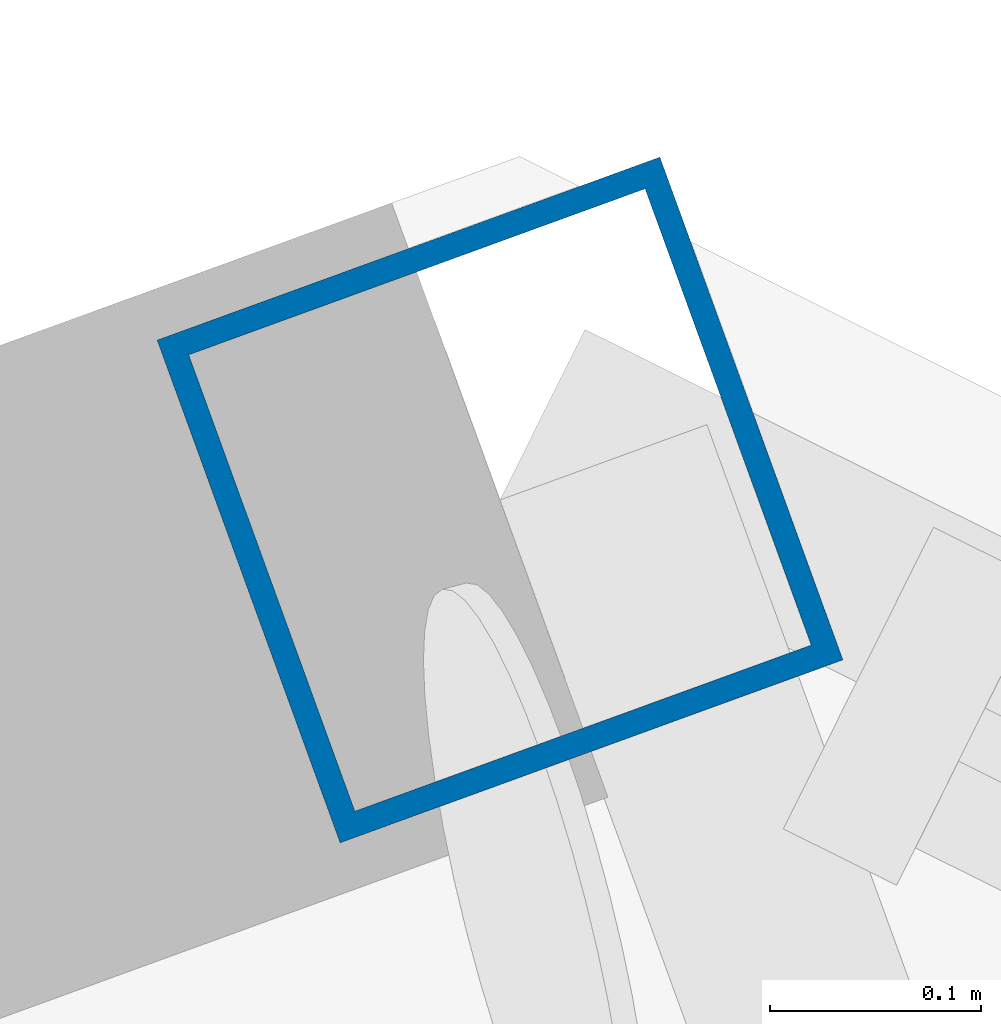
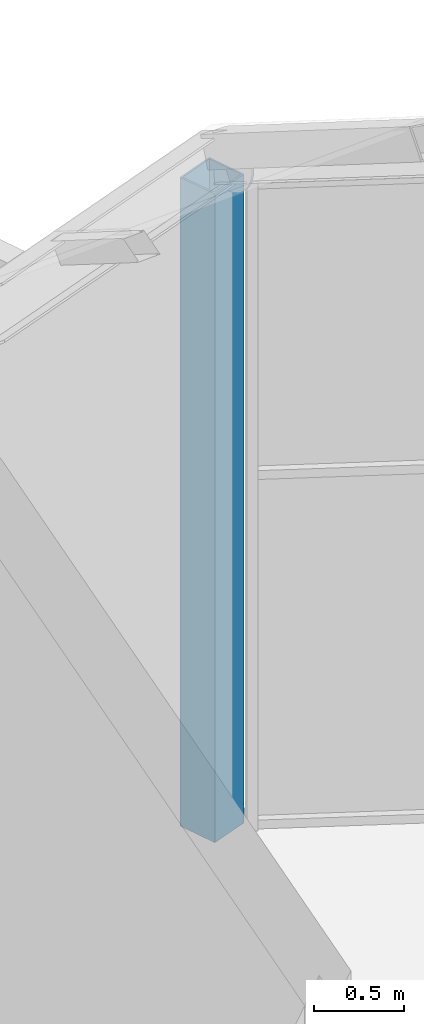
# One storey, part 8 of 95: 1 column.
"""IFC4 building model written with IfcOpenShell, lengths in metres."""

import ifcopenshell
import ifcopenshell.guid

model = None  # the IFC model being written
_history = None  # IfcOwnerHistory: only IFC2X3 demands one
_inside = {}  # id of a spatial element -> (the spatial element, [elements in it])
_under = {}  # id of a project, library or spatial element -> (it, [spatial elements below it])
_declared = {}  # id of a project -> (the project, [libraries it declares])
_typed = {}  # id of a type object -> (the type object, [elements of that type])
_made_of = {}  # id of a material, layer set ... -> (it, [elements and type objects made of it])


def new_model(schema):
    """Start an empty IFC model of exactly this schema.

    Asked for "IFC4X3", IfcOpenShell would pick the latest addendum, in which some entities
    have other attributes; the version numbers below select the first issue.
    IFC2X3 requires an IfcOwnerHistory on every rooted entity: one is made here for all.
    """
    global model, _history
    if schema == "IFC4X3":
        model = ifcopenshell.file(schema_version=(4, 3, 0, 0))
    else:
        model = ifcopenshell.file(schema=schema)
    _inside.clear()
    _under.clear()
    _declared.clear()
    _typed.clear()
    _made_of.clear()
    _history = None
    if model.schema == "IFC2X3":
        org = make("IfcOrganization", Name="unknown")
        user = make(
            "IfcPersonAndOrganization",
            ThePerson=make("IfcPerson", FamilyName="unknown"),
            TheOrganization=org,
        )
        app = make(
            "IfcApplication",
            ApplicationDeveloper=org,
            Version="unknown",
            ApplicationFullName="unknown",
            ApplicationIdentifier="unknown",
        )
        _history = make(
            "IfcOwnerHistory",
            OwningUser=user,
            OwningApplication=app,
            ChangeAction="ADDED",
            CreationDate=0,
        )
    return model


def make(cls, **values):
    """One entity of the class cls with the attributes given. An attribute that is None is left unset."""
    return model.create_entity(
        cls, **{name: value for name, value in values.items() if value is not None}
    )


def rooted(cls, **values):
    """An entity with a GlobalId (a new one), such as an element, a storey or a relation."""
    return make(cls, GlobalId=ifcopenshell.guid.new(), OwnerHistory=_history, **values)


def si_unit(unit_type, name, prefix=None):
    """IfcSIUnit, for example si_unit("LENGTHUNIT", "METRE", prefix="MILLI")."""
    return make("IfcSIUnit", UnitType=unit_type, Prefix=prefix, Name=name)


def assignment(units):
    """IfcUnitAssignment: the units of a project."""
    return None if units is None else make("IfcUnitAssignment", Units=units)


def point(xyz):
    """IfcCartesianPoint."""
    return None if xyz is None else make("IfcCartesianPoint", Coordinates=xyz)


def direction(xyz):
    """IfcDirection."""
    return None if xyz is None else make("IfcDirection", DirectionRatios=xyz)


def frame(location, z_axis=None, x_axis=None):
    """IfcAxis2Placement3D, a coordinate frame: its origin and axes. An axis left out is left unset."""
    return make(
        "IfcAxis2Placement3D",
        Location=point(location),
        Axis=direction(z_axis),
        RefDirection=direction(x_axis),
    )


def frame_2d(location, x_axis=None):
    """IfcAxis2Placement2D, a coordinate frame in the plane: its origin and x axis."""
    return make(
        "IfcAxis2Placement2D", Location=point(location), RefDirection=direction(x_axis)
    )


def origin():
    """The frame at (0, 0, 0) with its axes left unset."""
    return frame((0.0, 0.0, 0.0))


def origin_2d():
    """The frame at (0, 0) in the plane with its x axis left unset."""
    return frame_2d((0.0, 0.0))


def place(relative_to, where):
    """IfcLocalPlacement: puts the frame where relative to a parent placement (None: the world)."""
    return make(
        "IfcLocalPlacement", PlacementRelTo=relative_to, RelativePlacement=where
    )


def context(
    kind, dimensions, precision=None, world=None, true_north=None, identifier=None
):
    """IfcGeometricRepresentationContext, for example the 3D "Model" context."""
    return make(
        "IfcGeometricRepresentationContext",
        ContextIdentifier=identifier,
        ContextType=kind,
        CoordinateSpaceDimension=dimensions,
        Precision=precision,
        WorldCoordinateSystem=world,
        TrueNorth=true_north,
    )


def subcontext(parent, identifier, kind, view, scale=None):
    """IfcGeometricRepresentationSubContext, for example "Body" below "Model"."""
    return make(
        "IfcGeometricRepresentationSubContext",
        ContextIdentifier=identifier,
        ContextType=kind,
        ParentContext=parent,
        TargetScale=scale,
        TargetView=view,
    )


def project(units=None, contexts=None):
    """IfcProject with its units and contexts."""
    return rooted(
        "IfcProject",
        Name="project",
        RepresentationContexts=contexts,
        UnitsInContext=assignment(units),
    )


def spatial(cls, under=None, at=None, **own):
    """A site, building, storey or space (cls), placed at a placement, below another one or the project."""
    s = rooted(cls, ObjectPlacement=at, **own)
    if under is not None:
        _under.setdefault(under.id(), (under, []))[1].append(s)
    return s


def profile(cls, at=None, kind="AREA", **sizes):
    """A parametric profile (cls). Its sizes go by their IFC names, for example OverallWidth=200.0."""
    return make(cls, ProfileType=kind, Position=at, **sizes)


def hollow_rectangle(**sizes):
    """IfcRectangleHollowProfileDef."""
    return profile("IfcRectangleHollowProfileDef", **sizes)


def extrude(swept, where, along, depth):
    """IfcExtrudedAreaSolid: the profile swept, set in the frame where, extruded along a direction by depth."""
    return make(
        "IfcExtrudedAreaSolid",
        SweptArea=swept,
        Position=where,
        ExtrudedDirection=direction(along),
        Depth=depth,
    )


def shape(context_of_items, identifier, shape_type, items):
    """IfcShapeRepresentation: the items that make up one representation, for example the "Body"."""
    return make(
        "IfcShapeRepresentation",
        ContextOfItems=context_of_items,
        RepresentationIdentifier=identifier,
        RepresentationType=shape_type,
        Items=items,
    )


def material(Name=None, Category=None):
    """IfcMaterial."""
    return make("IfcMaterial", Name=Name, Category=Category)


def material_profile(
    of_material, cross_section, Name=None, Category=None, Priority=None
):
    """IfcMaterialProfile: a cross section and its material."""
    return make(
        "IfcMaterialProfile",
        Name=Name,
        Material=of_material,
        Profile=cross_section,
        Priority=Priority,
        Category=Category,
    )


def profile_set(profiles, Name=None, composite=None):
    """IfcMaterialProfileSet."""
    return make(
        "IfcMaterialProfileSet",
        Name=Name,
        MaterialProfiles=profiles,
        CompositeProfile=composite,
    )


def made_of(thing, what):
    """Note that an element or type object is made of a material, layer set ...; save() writes the relation."""
    if what is not None:
        _made_of.setdefault(what.id(), (what, []))[1].append(thing)
    return thing


def type_object(cls, material=None, **own):
    """A type object (cls), such as IfcWallType, which elements share."""
    return made_of(rooted(cls, **own), material)


def element(
    cls,
    number,
    at=None,
    inside=None,
    cuts=None,
    type_object=None,
    material=None,
    context=None,
    identifier="Body",
    shape_type=None,
    held_by="IfcProductDefinitionShape",
    body=None,
    shapes=None,
    **own,
):
    """One element of the class cls, such as IfcWall. Its Tag is "e" and its number.

    at: its placement. inside: the storey or other place that contains it. cuts: it is an
    opening in that element (IfcRelVoidsElement). A single representation is given by context,
    identifier, shape_type and body (its items); several are given by shapes. held_by: the class
    of the entity that holds the representations. save() writes the other relations.
    """
    e = rooted(cls, Tag="e%d" % number, ObjectPlacement=at, **own)
    if body is not None:
        shapes = [shape(context, identifier, shape_type, body)]
    if shapes is not None:
        e.Representation = make(held_by, Representations=shapes)
    if inside is not None:
        _inside.setdefault(inside.id(), (inside, []))[1].append(e)
    if cuts is not None:
        rooted(
            "IfcRelVoidsElement", RelatingBuildingElement=cuts, RelatedOpeningElement=e
        )
    if type_object is not None:
        _typed.setdefault(type_object.id(), (type_object, []))[1].append(e)
    return made_of(e, material)


def aggregate(whole, parts):
    """IfcRelAggregates: a whole, such as a stair, and the parts it consists of."""
    return rooted("IfcRelAggregates", RelatingObject=whole, RelatedObjects=parts)


def save(model, path):
    """Write the relations noted so far, then the file.

    IfcRelAggregates (storeys below a building ...), IfcRelContainedInSpatialStructure (elements
    in a storey), IfcRelDefinesByType, IfcRelAssociatesMaterial and IfcRelDeclares: one each for
    every whole, place, type object, material and project.
    """
    for whole, parts in _under.values():
        aggregate(whole, parts)
    for where, things in _inside.values():
        rooted(
            "IfcRelContainedInSpatialStructure",
            RelatedElements=things,
            RelatingStructure=where,
        )
    for kind, things in _typed.values():
        rooted("IfcRelDefinesByType", RelatedObjects=things, RelatingType=kind)
    for what, things in _made_of.values():
        rooted("IfcRelAssociatesMaterial", RelatedObjects=things, RelatingMaterial=what)
    for by, libraries in _declared.values():
        rooted("IfcRelDeclares", RelatingContext=by, RelatedDefinitions=libraries)
    model.write(path)


model = new_model("IFC4")

# Units and contexts
model_context = context("Model", 3, precision=1e-05, world=origin(), true_north=direction((0.0, 1.0)))
body_context = subcontext(model_context, "Body", "Model", "MODEL_VIEW")
ifc_project = project(units=[si_unit("LENGTHUNIT", "METRE"), si_unit("AREAUNIT", "SQUARE_METRE"), si_unit("VOLUMEUNIT", "CUBIC_METRE"), si_unit("PLANEANGLEUNIT", "RADIAN"), si_unit("MASSUNIT", "GRAM", prefix="KILO")], contexts=[model_context])

# Site, building, storey
site_placement = place(None, origin())
site = spatial("IfcSite", under=ifc_project, at=site_placement, CompositionType="ELEMENT")
building_placement = place(site_placement, origin())
building = spatial("IfcBuilding", under=site, at=building_placement, Name="Windward Yard Aquatics Centre", CompositionType="ELEMENT")
storey_placement = place(building_placement, frame((0.0, 0.0, 9.39990234375)))
storey = spatial("IfcBuildingStorey", under=building, at=storey_placement, Name="L02", CompositionType="ELEMENT", Elevation=9.39990234375)

# Column
ifc_material = material(Name="Steel S355", Category="steel")
ifc_material_profile = material_profile(ifc_material, hollow_rectangle(XDim=0.25390625, YDim=0.25390625, WallThickness=0.01171875, at=origin_2d()), Name="HSS254x254x12.7")
ifc_profile_set = profile_set([ifc_material_profile], Name="Steel S355")
column_type = type_object("IfcColumnType", Name="F HSS254x254x12.7 column", PredefinedType="COLUMN", material=ifc_profile_set)
column_placement = place(storey_placement, frame((31.5068359375, 104.64599609375, 0.0), z_axis=(0.0, 0.0, 1.0), x_axis=(0.939692620786, 0.342020143326, 0.0)))
element("IfcColumn", 1, at=column_placement, inside=storey, type_object=column_type, Name="F.COL.L02.07", PredefinedType="COLUMN", context=body_context, shape_type="SweptSolid", body=[
    extrude(hollow_rectangle(XDim=0.25390625, YDim=0.25390625, WallThickness=0.01171875, at=origin_2d()), origin(), (0.0, 0.0, 1.0), 4.400146484375),
])

save(model, "model.ifc")
